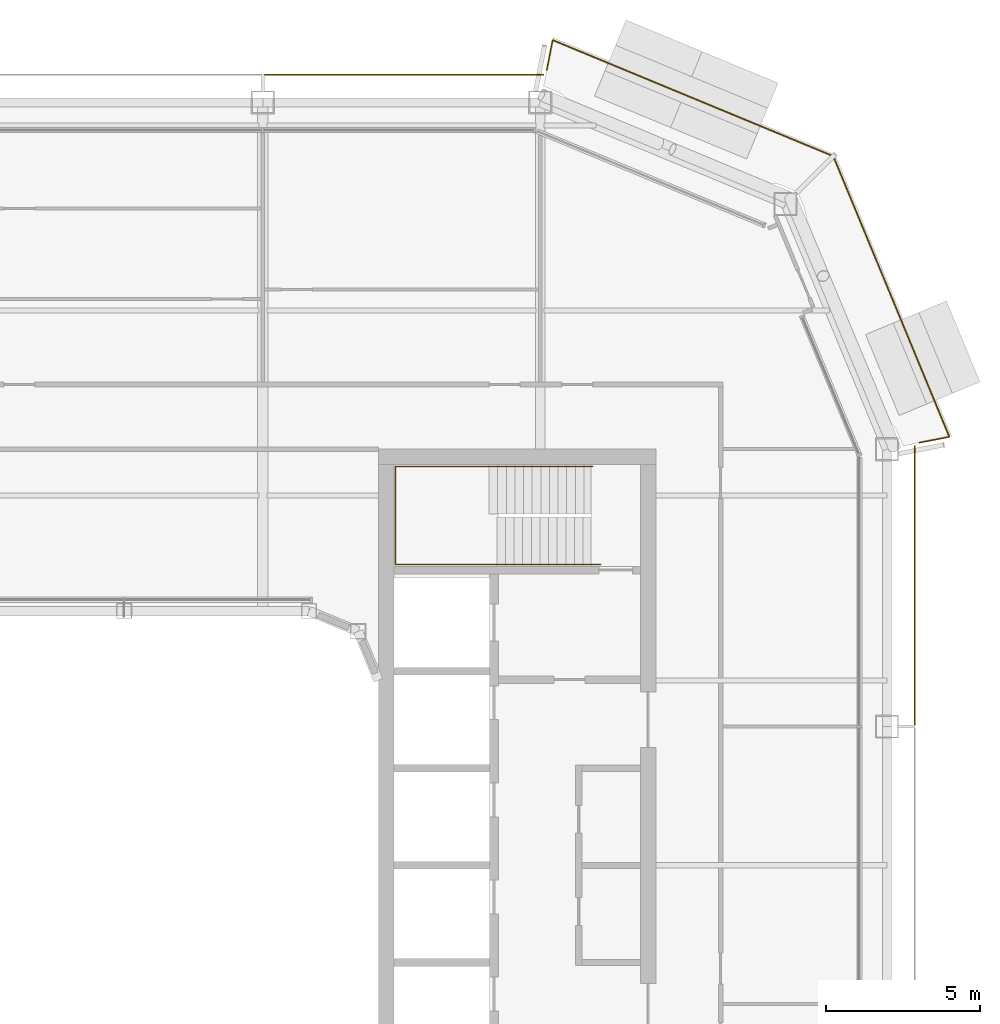
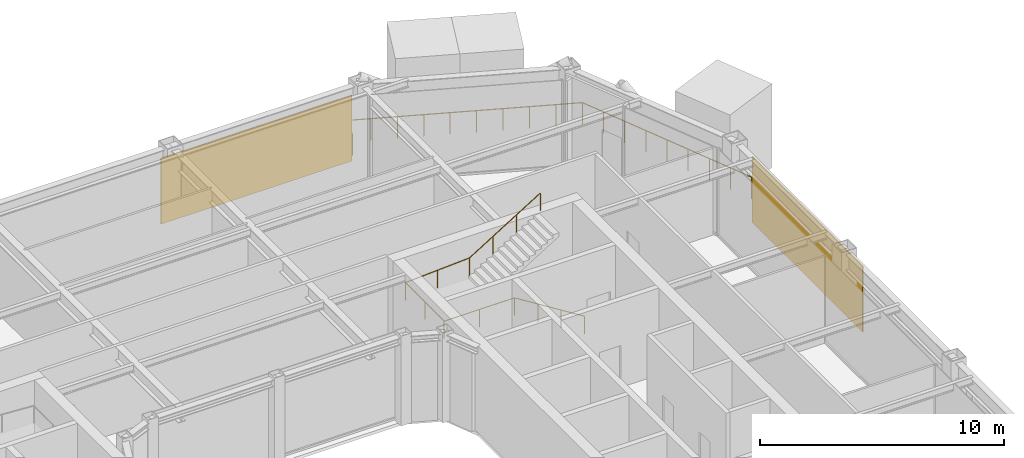
# One storey, part 19 of 20: 2 coverings, 2 railings.
"""IFC4 building model written with IfcOpenShell, lengths in metres."""

from ifc_helpers import new_model, si_unit, direction, frame, origin, origin_2d, place, context, subcontext, project, spatial, rectangle, circle, extrude, material, layer, layer_set, type_object, element, save


model = new_model("IFC4")

# Units and contexts
model_context = context("Model", 3, precision=1e-05, world=origin(), true_north=direction((0.0, 1.0)))
body_context = subcontext(model_context, "Body", "Model", "MODEL_VIEW")
ifc_project = project(units=[si_unit("LENGTHUNIT", "METRE"), si_unit("AREAUNIT", "SQUARE_METRE"), si_unit("VOLUMEUNIT", "CUBIC_METRE"), si_unit("PLANEANGLEUNIT", "RADIAN"), si_unit("MASSUNIT", "GRAM", prefix="KILO")], contexts=[model_context])

# Site, building, storey
site_placement = place(None, origin())
site = spatial("IfcSite", under=ifc_project, at=site_placement, CompositionType="ELEMENT")
building_placement = place(site_placement, origin())
building = spatial("IfcBuilding", under=site, at=building_placement, Name="Siwar Civic Tower", CompositionType="ELEMENT")
storey_placement = place(building_placement, frame((0.0, 0.0, 307.699951171875)))
storey = spatial("IfcBuildingStorey", under=building, at=storey_placement, Name="L66", CompositionType="ELEMENT", Elevation=307.699951171875)

# Railings
ifc_material_1 = material(Name="Stainless steel", Category="steel")
railing_type_1 = type_object("IfcRailingType", Name="CORE-STAIR-HANDRAIL", PredefinedType="HANDRAIL", material=ifc_material_1)
railing_1_placement = place(storey_placement, frame((15.449951171875, 9.758056640625, 0.173095703125)))
element("IfcRailing", 1, at=railing_1_placement, inside=storey, type_object=railing_type_1, Name="Stair handrail ST3", PredefinedType="HANDRAIL", context=body_context, shape_type="SweptSolid", body=[
    extrude(circle(Radius=0.02001953125, at=origin_2d()), frame((0.0, 0.0, 0.8798828125), z_axis=(-0.847063342986, 0.0, 0.531491950051), x_axis=(0.0, -1.0, 0.0)), (0.0, 0.0, 1.0), 3.90771484375),
    extrude(circle(Radius=0.02001953125, at=origin_2d()), frame((-3.31005859375, 0.0, 2.956787109375), z_axis=(-1.0, 0.0, 0.0), x_axis=(0.0, -1.0, 0.0)), (0.0, 0.0, 1.0), 3.331787109375),
    extrude(circle(Radius=0.02001953125, at=origin_2d()), frame((-6.641845703125, 0.0, 2.956787109375), z_axis=(0.0, 1.0, 0.0), x_axis=(-1.0, 0.0, 0.0)), (0.0, 0.0, 1.0), 3.183837890625),
    extrude(circle(Radius=0.02001953125, at=origin_2d()), frame((-6.641845703125, 3.183837890625, 2.956787109375), z_axis=(0.99837434197, 0.0, 0.056997134106), x_axis=(0.0, 1.0, 0.0)), (0.0, 0.0, 1.0), 3.036865234375),
    extrude(circle(Radius=0.02001953125, at=origin_2d()), frame((-3.60986328125, 3.183837890625, 3.1298828125), z_axis=(0.850606129759, 0.0, 0.525803396734), x_axis=(0.0, 1.0, 0.0)), (0.0, 0.0, 1.0), 3.949951171875),
    extrude(circle(Radius=0.02001953125, at=origin_2d()), origin(), (0.0, 0.0, 1.0), 0.85986328125),
    extrude(circle(Radius=0.02001953125, at=origin_2d()), frame((-1.103271484375, 0.0, 0.6923828125)), (0.0, 0.0, 1.0), 0.85986328125),
    extrude(circle(Radius=0.02001953125, at=origin_2d()), frame((-2.206787109375, 0.0, 1.384521484375)), (0.0, 0.0, 1.0), 0.85986328125),
    extrude(circle(Radius=0.02001953125, at=origin_2d()), frame((-3.31005859375, 0.0, 2.076904296875)), (0.0, 0.0, 1.0), 0.85986328125),
    extrude(circle(Radius=0.02001953125, at=origin_2d()), frame((-4.97607421875, 0.0, 2.076904296875)), (0.0, 0.0, 1.0), 0.85986328125),
    extrude(circle(Radius=0.02001953125, at=origin_2d()), frame((-6.641845703125, 0.0, 2.076904296875)), (0.0, 0.0, 1.0), 0.85986328125),
    extrude(circle(Radius=0.02001953125, at=origin_2d()), frame((-6.641845703125, 1.591796875, 2.076904296875)), (0.0, 0.0, 1.0), 0.85986328125),
    extrude(circle(Radius=0.02001953125, at=origin_2d()), frame((-6.641845703125, 3.183837890625, 2.076904296875)), (0.0, 0.0, 1.0), 0.85986328125),
    extrude(circle(Radius=0.02001953125, at=origin_2d()), frame((-5.1259765625, 3.183837890625, 2.16357421875)), (0.0, 0.0, 1.0), 0.85986328125),
    extrude(circle(Radius=0.02001953125, at=origin_2d()), frame((-3.60986328125, 3.183837890625, 2.25)), (0.0, 0.0, 1.0), 0.85986328125),
    extrude(circle(Radius=0.02001953125, at=origin_2d()), frame((-2.489990234375, 3.183837890625, 2.9423828125)), (0.0, 0.0, 1.0), 0.85986328125),
    extrude(circle(Radius=0.02001953125, at=origin_2d()), frame((-1.369873046875, 3.183837890625, 3.634521484375)), (0.0, 0.0, 1.0), 0.85986328125),
    extrude(circle(Radius=0.02001953125, at=origin_2d()), frame((-0.25, 3.183837890625, 4.326904296875)), (0.0, 0.0, 1.0), 0.85986328125),
])
ifc_material_2 = material(Name="Stainless steel 316", Category="steel")
railing_type_2 = type_object("IfcRailingType", Name="ENV-GUARD", PredefinedType="GUARDRAIL", material=ifc_material_2)
railing_2_placement = place(storey_placement, frame((25.797119140625, 13.708251953125, 0.0)))
element("IfcRailing", 2, at=railing_2_placement, inside=storey, type_object=railing_type_2, Name="Balcony guard NE", PredefinedType="GUARDRAIL", context=body_context, shape_type="SweptSolid", body=[
    extrude(circle(Radius=0.02392578125, at=origin_2d()), frame((0.0, 0.0, 1.076171875), z_axis=(0.980778661911, 0.195123592472, 0.0), x_axis=(-0.195123592472, 0.980778661911, 0.0)), (0.0, 0.0, 1.0), 0.993408203125),
    extrude(circle(Radius=0.02392578125, at=origin_2d()), frame((0.974365234375, 0.19384765625, 1.076171875), z_axis=(-0.38225621169, 0.924056377406, 0.0), x_axis=(-0.924056377406, -0.38225621169, 0.0)), (0.0, 0.0, 1.0), 9.851806640625),
    extrude(circle(Radius=0.02392578125, at=origin_2d()), frame((-2.79150390625, 9.29736328125, 1.076171875), z_axis=(-0.924056377406, 0.38225621169, 0.0), x_axis=(-0.38225621169, -0.924056377406, 0.0)), (0.0, 0.0, 1.0), 9.851806640625),
    extrude(circle(Radius=0.02392578125, at=origin_2d()), frame((-11.89501953125, 13.063232421875, 1.076171875), z_axis=(-0.195123592472, -0.980778661911, 0.0), x_axis=(0.980778661911, -0.195123592472, 0.0)), (0.0, 0.0, 1.0), 0.993408203125),
    extrude(circle(Radius=0.02099609375, at=origin_2d()), origin(), (0.0, 0.0, 1.0), 1.052001953125),
    extrude(circle(Radius=0.02099609375, at=origin_2d()), frame((0.974365234375, 0.19384765625, 0.0)), (0.0, 0.0, 1.0), 1.052001953125),
    extrude(circle(Radius=0.02099609375, at=origin_2d()), frame((0.555908203125, 1.205322265625, 0.0)), (0.0, 0.0, 1.0), 1.052001953125),
    extrude(circle(Radius=0.02099609375, at=origin_2d()), frame((0.137451171875, 2.216796875, 0.0)), (0.0, 0.0, 1.0), 1.052001953125),
    extrude(circle(Radius=0.02099609375, at=origin_2d()), frame((-0.281005859375, 3.228271484375, 0.0)), (0.0, 0.0, 1.0), 1.052001953125),
    extrude(circle(Radius=0.02099609375, at=origin_2d()), frame((-0.699462890625, 4.23974609375, 0.0)), (0.0, 0.0, 1.0), 1.052001953125),
    extrude(circle(Radius=0.02099609375, at=origin_2d()), frame((-1.11767578125, 5.25146484375, 0.0)), (0.0, 0.0, 1.0), 1.052001953125),
    extrude(circle(Radius=0.02099609375, at=origin_2d()), frame((-1.5361328125, 6.262939453125, 0.0)), (0.0, 0.0, 1.0), 1.052001953125),
    extrude(circle(Radius=0.02099609375, at=origin_2d()), frame((-1.95458984375, 7.2744140625, 0.0)), (0.0, 0.0, 1.0), 1.052001953125),
    extrude(circle(Radius=0.02099609375, at=origin_2d()), frame((-2.373046875, 8.285888671875, 0.0)), (0.0, 0.0, 1.0), 1.052001953125),
    extrude(circle(Radius=0.02099609375, at=origin_2d()), frame((-2.79150390625, 9.29736328125, 0.0)), (0.0, 0.0, 1.0), 1.052001953125),
    extrude(circle(Radius=0.02099609375, at=origin_2d()), frame((-3.802978515625, 9.7158203125, 0.0)), (0.0, 0.0, 1.0), 1.052001953125),
    extrude(circle(Radius=0.02099609375, at=origin_2d()), frame((-4.814453125, 10.13427734375, 0.0)), (0.0, 0.0, 1.0), 1.052001953125),
    extrude(circle(Radius=0.02099609375, at=origin_2d()), frame((-5.825927734375, 10.552734375, 0.0)), (0.0, 0.0, 1.0), 1.052001953125),
    extrude(circle(Radius=0.02099609375, at=origin_2d()), frame((-6.83740234375, 10.97119140625, 0.0)), (0.0, 0.0, 1.0), 1.052001953125),
    extrude(circle(Radius=0.02099609375, at=origin_2d()), frame((-7.84912109375, 11.389404296875, 0.0)), (0.0, 0.0, 1.0), 1.052001953125),
    extrude(circle(Radius=0.02099609375, at=origin_2d()), frame((-8.860595703125, 11.807861328125, 0.0)), (0.0, 0.0, 1.0), 1.052001953125),
    extrude(circle(Radius=0.02099609375, at=origin_2d()), frame((-9.8720703125, 12.226318359375, 0.0)), (0.0, 0.0, 1.0), 1.052001953125),
    extrude(circle(Radius=0.02099609375, at=origin_2d()), frame((-10.883544921875, 12.644775390625, 0.0)), (0.0, 0.0, 1.0), 1.052001953125),
    extrude(circle(Radius=0.02099609375, at=origin_2d()), frame((-11.89501953125, 13.063232421875, 0.0)), (0.0, 0.0, 1.0), 1.052001953125),
    extrude(circle(Radius=0.02099609375, at=origin_2d()), frame((-12.0888671875, 12.0888671875, 0.0)), (0.0, 0.0, 1.0), 1.052001953125),
])

# Coverings
ifc_material_3 = material(Name="Perforated aluminium cassette, pale metal", Category="aluminium")
ifc_layer = layer(ifc_material_3, 0.0400390625)
ifc_layer_set = layer_set([ifc_layer], Name="Perforated aluminium cassette, pale metal")
covering_type = type_object("IfcCoveringType", Name="ENV-OUTER SKIN OS-1", PredefinedType="CLADDING", material=ifc_layer_set)
for number, where, z_axis, x_axis, name in (
    (3, (25.64990234375, 9.07958984375, -0.14990234375), (0.0, 0.0, 1.0), (0.0, 1.0, 0.0), "OUTER SKIN OS-1 E 3"),
    (4, (9.07958984375, 25.64990234375, -0.14990234375), (0.0, 0.0, 1.0), (-1.0, 0.0, 0.0), "OUTER SKIN OS-1 N 1"),
):
    element("IfcCovering", number, at=place(storey_placement, frame(where, z_axis=z_axis, x_axis=x_axis)), inside=storey, type_object=covering_type, Name=name, PredefinedType="CLADDING", context=body_context, shape_type="SweptSolid", body=[
        extrude(rectangle(XDim=9.05908203125, YDim=0.0400390625, at=origin_2d()), origin(), (0.0, 0.0, 1.0), 3.300048828125),
    ])

save(model, "model.ifc")
